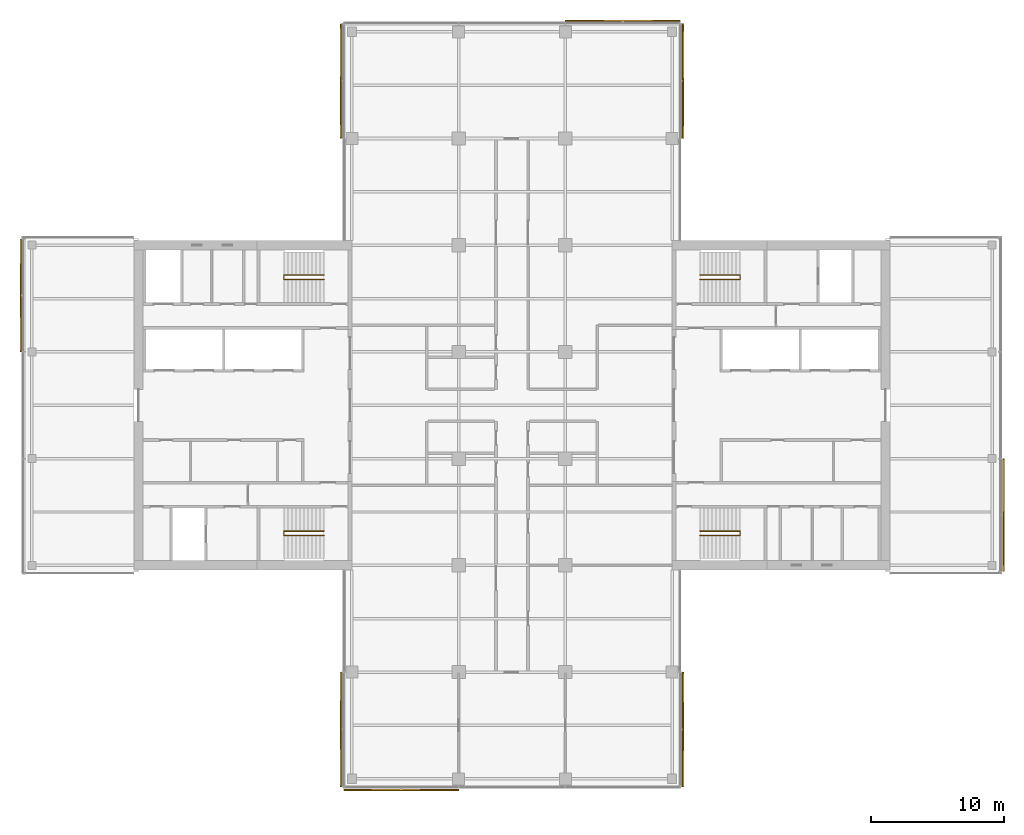
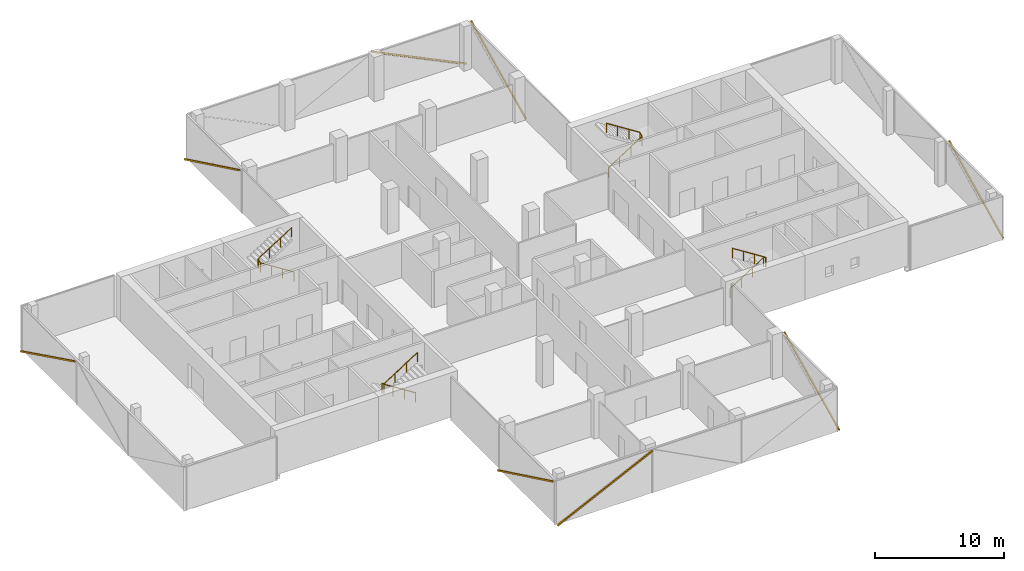
# One storey, part 22 of 22: 8 shading devices, 4 railings, 8 elements without a shape of their own.
"""IFC4 building model written with IfcOpenShell, lengths in metres."""

from ifc_helpers import new_model, si_unit, direction, frame, origin, origin_2d, place, context, subcontext, project, spatial, rectangle, circle, extrude, material, material_profile, profile_set, type_object, element, aggregate, save


model = new_model("IFC4")

# Units and contexts
model_context = context("Model", 3, precision=1e-05, world=origin(), true_north=direction((0.0, 1.0)))
body_context = subcontext(model_context, "Body", "Model", "MODEL_VIEW")
ifc_project = project(units=[si_unit("LENGTHUNIT", "METRE"), si_unit("AREAUNIT", "SQUARE_METRE"), si_unit("VOLUMEUNIT", "CUBIC_METRE"), si_unit("PLANEANGLEUNIT", "RADIAN"), si_unit("MASSUNIT", "GRAM", prefix="KILO")], contexts=[model_context])

# Site, building, storey
site_placement = place(None, origin())
site = spatial("IfcSite", under=ifc_project, at=site_placement, CompositionType="ELEMENT")
building_placement = place(site_placement, origin())
building = spatial("IfcBuilding", under=site, at=building_placement, Name="Crosswind Convention Tower", CompositionType="ELEMENT")
storey_placement = place(building_placement, frame((0.0, 0.0, 121.10009765625)))
storey = spatial("IfcBuildingStorey", under=building, at=storey_placement, Name="L24", CompositionType="ELEMENT", Elevation=121.10009765625)

# Railings
ifc_material_1 = material(Name="Stainless steel", Category="steel")
railing_type = type_object("IfcRailingType", Name="Stair handrail 900", PredefinedType="HANDRAIL", material=ifc_material_1)
railing_1_placement = place(storey_placement, frame((139.10009765625, 109.43994140625, 0.19091796875)))
element("IfcRailing", 1, at=railing_1_placement, inside=storey, type_object=railing_type, Name="Stair ST1 handrail L24", PredefinedType="HANDRAIL", context=body_context, shape_type="SweptSolid", body=[
    extrude(circle(Radius=0.02392578125, at=origin_2d()), frame((0.0, 0.0, 0.8759765625), z_axis=(0.843681277094, 0.0, 0.536844393359), x_axis=(0.0, 1.0, 0.0)), (0.0, 0.0, 1.0), 3.555908203125),
    extrude(circle(Radius=0.02392578125, at=origin_2d()), frame((3.0, 0.0, 2.78466796875), z_axis=(0.0, 0.858819504967, 0.512278301208), x_axis=(-1.0, 0.0, 0.0)), (0.0, 0.0, 1.0), 0.372802734375),
    extrude(circle(Radius=0.02392578125, at=origin_2d()), frame((3.0, 0.320068359375, 2.9755859375), z_axis=(-0.843650179428, 0.0, 0.536893261973), x_axis=(0.0, -1.0, 0.0)), (0.0, 0.0, 1.0), 3.555908203125),
    extrude(circle(Radius=0.02099609375, at=origin_2d()), origin(), (0.0, 0.0, 1.0), 0.851806640625),
    extrude(circle(Radius=0.02099609375, at=origin_2d()), frame((1.0, 0.0, 0.63623046875)), (0.0, 0.0, 1.0), 0.851806640625),
    extrude(circle(Radius=0.02099609375, at=origin_2d()), frame((2.0, 0.0, 1.272705078125)), (0.0, 0.0, 1.0), 0.851806640625),
    extrude(circle(Radius=0.02099609375, at=origin_2d()), frame((3.0, 0.0, 1.908935546875)), (0.0, 0.0, 1.0), 0.851806640625),
    extrude(circle(Radius=0.02099609375, at=origin_2d()), frame((3.0, 0.320068359375, 2.099853515625)), (0.0, 0.0, 1.0), 0.851806640625),
    extrude(circle(Radius=0.02099609375, at=origin_2d()), frame((2.0, 0.320068359375, 2.736328125)), (0.0, 0.0, 1.0), 0.851806640625),
    extrude(circle(Radius=0.02099609375, at=origin_2d()), frame((1.0, 0.320068359375, 3.37255859375)), (0.0, 0.0, 1.0), 0.851806640625),
    extrude(circle(Radius=0.02099609375, at=origin_2d()), frame((0.0, 0.320068359375, 4.009033203125)), (0.0, 0.0, 1.0), 0.851806640625),
])
railing_2_placement = place(storey_placement, frame((139.10009765625, 90.56005859375, 0.19091796875)))
element("IfcRailing", 2, at=railing_2_placement, inside=storey, type_object=railing_type, Name="Stair ST2 handrail L24", PredefinedType="HANDRAIL", context=body_context, shape_type="SweptSolid", body=[
    extrude(circle(Radius=0.02392578125, at=origin_2d()), frame((0.0, 0.0, 0.8759765625), z_axis=(0.843681277094, 0.0, 0.536844393359), x_axis=(0.0, 1.0, 0.0)), (0.0, 0.0, 1.0), 3.555908203125),
    extrude(circle(Radius=0.02392578125, at=origin_2d()), frame((3.0, 0.0, 2.78466796875), z_axis=(0.0, -0.858819504967, 0.512278301208), x_axis=(1.0, 0.0, 0.0)), (0.0, 0.0, 1.0), 0.372802734375),
    extrude(circle(Radius=0.02392578125, at=origin_2d()), frame((3.0, -0.320068359375, 2.9755859375), z_axis=(-0.843650179428, 0.0, 0.536893261973), x_axis=(0.0, -1.0, 0.0)), (0.0, 0.0, 1.0), 3.555908203125),
    extrude(circle(Radius=0.02099609375, at=origin_2d()), origin(), (0.0, 0.0, 1.0), 0.851806640625),
    extrude(circle(Radius=0.02099609375, at=origin_2d()), frame((1.0, 0.0, 0.63623046875)), (0.0, 0.0, 1.0), 0.851806640625),
    extrude(circle(Radius=0.02099609375, at=origin_2d()), frame((2.0, 0.0, 1.272705078125)), (0.0, 0.0, 1.0), 0.851806640625),
    extrude(circle(Radius=0.02099609375, at=origin_2d()), frame((3.0, 0.0, 1.908935546875)), (0.0, 0.0, 1.0), 0.851806640625),
    extrude(circle(Radius=0.02099609375, at=origin_2d()), frame((3.0, -0.320068359375, 2.099853515625)), (0.0, 0.0, 1.0), 0.851806640625),
    extrude(circle(Radius=0.02099609375, at=origin_2d()), frame((2.0, -0.320068359375, 2.736328125)), (0.0, 0.0, 1.0), 0.851806640625),
    extrude(circle(Radius=0.02099609375, at=origin_2d()), frame((1.0, -0.320068359375, 3.37255859375)), (0.0, 0.0, 1.0), 0.851806640625),
    extrude(circle(Radius=0.02099609375, at=origin_2d()), frame((0.0, -0.320068359375, 4.009033203125)), (0.0, 0.0, 1.0), 0.851806640625),
])
railing_3_placement = place(storey_placement, frame((110.89990234375, 90.56005859375, 0.19091796875)))
element("IfcRailing", 3, at=railing_3_placement, inside=storey, type_object=railing_type, Name="Stair ST3 handrail L24", PredefinedType="HANDRAIL", context=body_context, shape_type="SweptSolid", body=[
    extrude(circle(Radius=0.02392578125, at=origin_2d()), frame((0.0, 0.0, 0.8759765625), z_axis=(-0.843681277094, 0.0, 0.536844393359), x_axis=(0.0, -1.0, 0.0)), (0.0, 0.0, 1.0), 3.555908203125),
    extrude(circle(Radius=0.02392578125, at=origin_2d()), frame((-3.0, 0.0, 2.78466796875), z_axis=(0.0, -0.858819504967, 0.512278301208), x_axis=(1.0, 0.0, 0.0)), (0.0, 0.0, 1.0), 0.372802734375),
    extrude(circle(Radius=0.02392578125, at=origin_2d()), frame((-3.0, -0.320068359375, 2.9755859375), z_axis=(0.843650179428, 0.0, 0.536893261973), x_axis=(0.0, 1.0, 0.0)), (0.0, 0.0, 1.0), 3.555908203125),
    extrude(circle(Radius=0.02099609375, at=origin_2d()), origin(), (0.0, 0.0, 1.0), 0.851806640625),
    extrude(circle(Radius=0.02099609375, at=origin_2d()), frame((-1.0, 0.0, 0.63623046875)), (0.0, 0.0, 1.0), 0.851806640625),
    extrude(circle(Radius=0.02099609375, at=origin_2d()), frame((-2.0, 0.0, 1.272705078125)), (0.0, 0.0, 1.0), 0.851806640625),
    extrude(circle(Radius=0.02099609375, at=origin_2d()), frame((-3.0, 0.0, 1.908935546875)), (0.0, 0.0, 1.0), 0.851806640625),
    extrude(circle(Radius=0.02099609375, at=origin_2d()), frame((-3.0, -0.320068359375, 2.099853515625)), (0.0, 0.0, 1.0), 0.851806640625),
    extrude(circle(Radius=0.02099609375, at=origin_2d()), frame((-2.0, -0.320068359375, 2.736328125)), (0.0, 0.0, 1.0), 0.851806640625),
    extrude(circle(Radius=0.02099609375, at=origin_2d()), frame((-1.0, -0.320068359375, 3.37255859375)), (0.0, 0.0, 1.0), 0.851806640625),
    extrude(circle(Radius=0.02099609375, at=origin_2d()), frame((0.0, -0.320068359375, 4.009033203125)), (0.0, 0.0, 1.0), 0.851806640625),
])
railing_4_placement = place(storey_placement, frame((110.89990234375, 109.43994140625, 0.19091796875)))
element("IfcRailing", 4, at=railing_4_placement, inside=storey, type_object=railing_type, Name="Stair ST4 handrail L24", PredefinedType="HANDRAIL", context=body_context, shape_type="SweptSolid", body=[
    extrude(circle(Radius=0.02392578125, at=origin_2d()), frame((0.0, 0.0, 0.8759765625), z_axis=(-0.843681277094, 0.0, 0.536844393359), x_axis=(0.0, -1.0, 0.0)), (0.0, 0.0, 1.0), 3.555908203125),
    extrude(circle(Radius=0.02392578125, at=origin_2d()), frame((-3.0, 0.0, 2.78466796875), z_axis=(0.0, 0.858819504967, 0.512278301208), x_axis=(-1.0, 0.0, 0.0)), (0.0, 0.0, 1.0), 0.372802734375),
    extrude(circle(Radius=0.02392578125, at=origin_2d()), frame((-3.0, 0.320068359375, 2.9755859375), z_axis=(0.843650179428, 0.0, 0.536893261973), x_axis=(0.0, 1.0, 0.0)), (0.0, 0.0, 1.0), 3.555908203125),
    extrude(circle(Radius=0.02099609375, at=origin_2d()), origin(), (0.0, 0.0, 1.0), 0.851806640625),
    extrude(circle(Radius=0.02099609375, at=origin_2d()), frame((-1.0, 0.0, 0.63623046875)), (0.0, 0.0, 1.0), 0.851806640625),
    extrude(circle(Radius=0.02099609375, at=origin_2d()), frame((-2.0, 0.0, 1.272705078125)), (0.0, 0.0, 1.0), 0.851806640625),
    extrude(circle(Radius=0.02099609375, at=origin_2d()), frame((-3.0, 0.0, 1.908935546875)), (0.0, 0.0, 1.0), 0.851806640625),
    extrude(circle(Radius=0.02099609375, at=origin_2d()), frame((-3.0, 0.320068359375, 2.099853515625)), (0.0, 0.0, 1.0), 0.851806640625),
    extrude(circle(Radius=0.02099609375, at=origin_2d()), frame((-2.0, 0.320068359375, 2.736328125)), (0.0, 0.0, 1.0), 0.851806640625),
    extrude(circle(Radius=0.02099609375, at=origin_2d()), frame((-1.0, 0.320068359375, 3.37255859375)), (0.0, 0.0, 1.0), 0.851806640625),
    extrude(circle(Radius=0.02099609375, at=origin_2d()), frame((0.0, 0.320068359375, 4.009033203125)), (0.0, 0.0, 1.0), 0.851806640625),
])

# Curtain wall, shading device
ifc_material_2 = material(Name="Aluminium unitised curtain wall", Category="aluminium")
curtain_wall_type = type_object("IfcCurtainWallType", Name="OFFICE UNITISED WALL 220", PredefinedType="USERDEFINED", material=ifc_material_2)
curtain_wall_1_placement = place(storey_placement, origin())
curtain_wall_1 = element("IfcCurtainWall", 5, at=curtain_wall_1_placement, inside=storey, type_object=curtain_wall_type, Name="CW3 L24 E-TIP 1", ObjectType="UNITISED", PredefinedType="USERDEFINED")
ifc_material_3 = material(Name="Extruded terracotta", Category="masonry")
ifc_material_profile = material_profile(ifc_material_3, rectangle(XDim=0.110107421875, YDim=0.1298828125, at=origin_2d()), Name="TC 110X130")
ifc_profile_set = profile_set([ifc_material_profile], Name="Extruded terracotta")
shading_device_type = type_object("IfcShadingDeviceType", Name="TERRACOTTA BAGUETTE 130X110", PredefinedType="USERDEFINED", material=ifc_profile_set)
shading_device_1_placement = place(storey_placement, frame((161.8310546875, 87.570068359375, -0.300048828125), z_axis=(0.0, 0.897299814718, 0.44142161536), x_axis=(-1.0, 0.0, 0.0)))
shading_device_1 = element("IfcShadingDevice", 6, at=shading_device_1_placement, type_object=shading_device_type, Name="CW3 terracotta baguette 1", ObjectType="BAGUETTE", PredefinedType="USERDEFINED", context=body_context, shape_type="SweptSolid", body=[
    extrude(rectangle(XDim=0.110107421875, YDim=0.1298828125, at=origin_2d()), origin(), (0.0, 0.0, 1.0), 9.35595703125),
])
aggregate(curtain_wall_1, [shading_device_1])

curtain_wall_2_placement = place(storey_placement, origin())
curtain_wall_2 = element("IfcCurtainWall", 7, at=curtain_wall_2_placement, inside=storey, type_object=curtain_wall_type, Name="CW3 L24 N-E 1", ObjectType="UNITISED", PredefinedType="USERDEFINED")
shading_device_2_placement = place(storey_placement, frame((137.8310546875, 120.034912109375, -0.300048828125), z_axis=(0.0, 0.900258180835, 0.435356414723), x_axis=(-1.0, 0.0, 0.0)))
shading_device_2 = element("IfcShadingDevice", 8, at=shading_device_2_placement, type_object=shading_device_type, Name="CW3 terracotta baguette 1", ObjectType="BAGUETTE", PredefinedType="USERDEFINED", context=body_context, shape_type="SweptSolid", body=[
    extrude(rectangle(XDim=0.110107421875, YDim=0.1298828125, at=origin_2d()), origin(), (0.0, 0.0, 1.0), 9.486328125),
])
aggregate(curtain_wall_2, [shading_device_2])

curtain_wall_3_placement = place(storey_placement, origin())
curtain_wall_3 = element("IfcCurtainWall", 9, at=curtain_wall_3_placement, inside=storey, type_object=curtain_wall_type, Name="CW3 L24 N-TIP 1", ObjectType="UNITISED", PredefinedType="USERDEFINED")
shading_device_3_placement = place(storey_placement, frame((137.574951171875, 128.8310546875, -0.300048828125), z_axis=(-0.900258180835, 0.0, 0.435356414723), x_axis=(0.0, -1.0, 0.0)))
shading_device_3 = element("IfcShadingDevice", 10, at=shading_device_3_placement, type_object=shading_device_type, Name="CW3 terracotta baguette 1", ObjectType="BAGUETTE", PredefinedType="USERDEFINED", context=body_context, shape_type="SweptSolid", body=[
    extrude(rectangle(XDim=0.110107421875, YDim=0.1298828125, at=origin_2d()), origin(), (0.0, 0.0, 1.0), 9.486328125),
])
aggregate(curtain_wall_3, [shading_device_3])

curtain_wall_4_placement = place(storey_placement, origin())
curtain_wall_4 = element("IfcCurtainWall", 11, at=curtain_wall_4_placement, inside=storey, type_object=curtain_wall_type, Name="CW3 L24 N-W 1", ObjectType="UNITISED", PredefinedType="USERDEFINED")
shading_device_4_placement = place(storey_placement, frame((112.1689453125, 128.574951171875, -0.300048828125), z_axis=(0.0, -0.900258180835, 0.435356414723), x_axis=(1.0, 0.0, 0.0)))
shading_device_4 = element("IfcShadingDevice", 12, at=shading_device_4_placement, type_object=shading_device_type, Name="CW3 terracotta baguette 1", ObjectType="BAGUETTE", PredefinedType="USERDEFINED", context=body_context, shape_type="SweptSolid", body=[
    extrude(rectangle(XDim=0.110107421875, YDim=0.1298828125, at=origin_2d()), origin(), (0.0, 0.0, 1.0), 9.486328125),
])
aggregate(curtain_wall_4, [shading_device_4])

curtain_wall_5_placement = place(storey_placement, origin())
curtain_wall_5 = element("IfcCurtainWall", 13, at=curtain_wall_5_placement, inside=storey, type_object=curtain_wall_type, Name="CW3 L24 W-TIP 1", ObjectType="UNITISED", PredefinedType="USERDEFINED")
shading_device_5_placement = place(storey_placement, frame((88.1689453125, 112.429931640625, -0.300048828125), z_axis=(0.0, -0.897299814718, 0.44142161536), x_axis=(1.0, 0.0, 0.0)))
shading_device_5 = element("IfcShadingDevice", 14, at=shading_device_5_placement, type_object=shading_device_type, Name="CW3 terracotta baguette 1", ObjectType="BAGUETTE", PredefinedType="USERDEFINED", context=body_context, shape_type="SweptSolid", body=[
    extrude(rectangle(XDim=0.110107421875, YDim=0.1298828125, at=origin_2d()), origin(), (0.0, 0.0, 1.0), 9.35595703125),
])
aggregate(curtain_wall_5, [shading_device_5])

curtain_wall_6_placement = place(storey_placement, origin())
curtain_wall_6 = element("IfcCurtainWall", 15, at=curtain_wall_6_placement, inside=storey, type_object=curtain_wall_type, Name="CW3 L24 S-W 1", ObjectType="UNITISED", PredefinedType="USERDEFINED")
shading_device_6_placement = place(storey_placement, frame((112.1689453125, 79.965087890625, -0.300048828125), z_axis=(0.0, -0.900258180835, 0.435356414723), x_axis=(1.0, 0.0, 0.0)))
shading_device_6 = element("IfcShadingDevice", 16, at=shading_device_6_placement, type_object=shading_device_type, Name="CW3 terracotta baguette 1", ObjectType="BAGUETTE", PredefinedType="USERDEFINED", context=body_context, shape_type="SweptSolid", body=[
    extrude(rectangle(XDim=0.110107421875, YDim=0.1298828125, at=origin_2d()), origin(), (0.0, 0.0, 1.0), 9.486328125),
])
aggregate(curtain_wall_6, [shading_device_6])

curtain_wall_7_placement = place(storey_placement, origin())
curtain_wall_7 = element("IfcCurtainWall", 17, at=curtain_wall_7_placement, inside=storey, type_object=curtain_wall_type, Name="CW3 L24 S-TIP 1", ObjectType="UNITISED", PredefinedType="USERDEFINED")
shading_device_7_placement = place(storey_placement, frame((112.425048828125, 71.1689453125, -0.300048828125), z_axis=(0.900258180835, 0.0, 0.435356414723), x_axis=(0.0, 1.0, 0.0)))
shading_device_7 = element("IfcShadingDevice", 18, at=shading_device_7_placement, type_object=shading_device_type, Name="CW3 terracotta baguette 1", ObjectType="BAGUETTE", PredefinedType="USERDEFINED", context=body_context, shape_type="SweptSolid", body=[
    extrude(rectangle(XDim=0.110107421875, YDim=0.1298828125, at=origin_2d()), origin(), (0.0, 0.0, 1.0), 9.486328125),
])
aggregate(curtain_wall_7, [shading_device_7])

curtain_wall_8_placement = place(storey_placement, origin())
curtain_wall_8 = element("IfcCurtainWall", 19, at=curtain_wall_8_placement, inside=storey, type_object=curtain_wall_type, Name="CW3 L24 S-E 1", ObjectType="UNITISED", PredefinedType="USERDEFINED")
shading_device_8_placement = place(storey_placement, frame((137.8310546875, 71.425048828125, -0.300048828125), z_axis=(0.0, 0.900258180835, 0.435356414723), x_axis=(-1.0, 0.0, 0.0)))
shading_device_8 = element("IfcShadingDevice", 20, at=shading_device_8_placement, type_object=shading_device_type, Name="CW3 terracotta baguette 1", ObjectType="BAGUETTE", PredefinedType="USERDEFINED", context=body_context, shape_type="SweptSolid", body=[
    extrude(rectangle(XDim=0.110107421875, YDim=0.1298828125, at=origin_2d()), origin(), (0.0, 0.0, 1.0), 9.486328125),
])
aggregate(curtain_wall_8, [shading_device_8])

save(model, "model.ifc")
